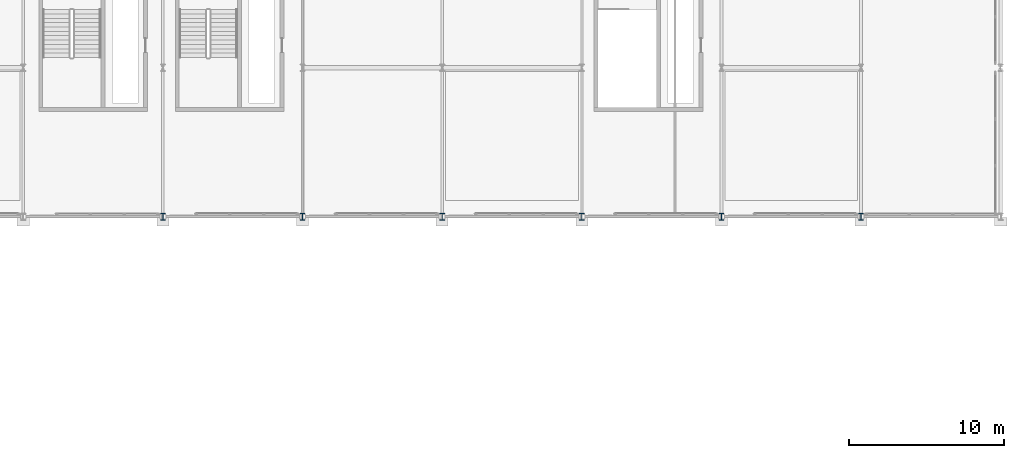
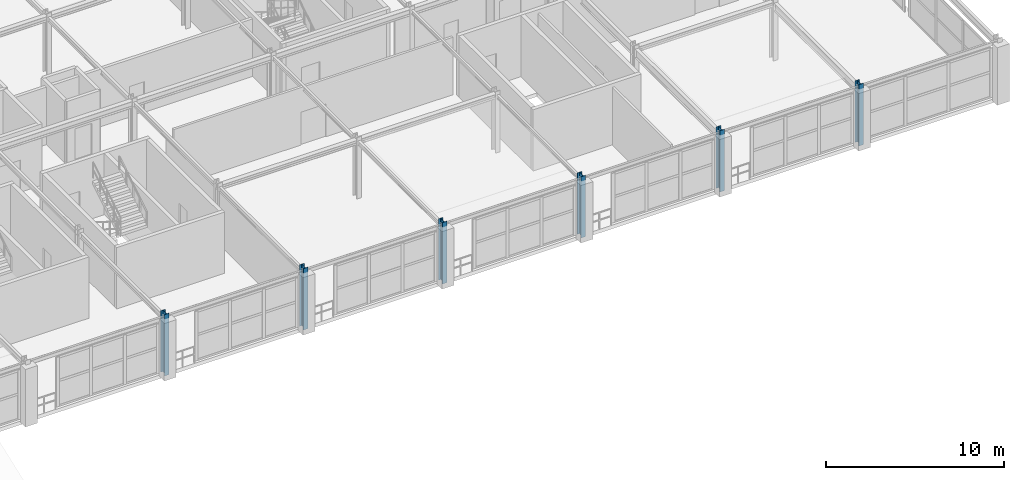
# One storey, part 12 of 81: 6 columns.
"""IFC4 building model written with IfcOpenShell, lengths in metres."""

from ifc_helpers import new_model, si_unit, direction, frame, origin, origin_2d, place, context, subcontext, project, spatial, i_section, extrude, material, material_profile, profile_set, type_object, element, save


model = new_model("IFC4")

# Units and contexts
model_context = context("Model", 3, precision=1e-05, world=origin(), true_north=direction((0.0, 1.0)))
body_context = subcontext(model_context, "Body", "Model", "MODEL_VIEW")
ifc_project = project(units=[si_unit("LENGTHUNIT", "METRE"), si_unit("AREAUNIT", "SQUARE_METRE"), si_unit("VOLUMEUNIT", "CUBIC_METRE"), si_unit("PLANEANGLEUNIT", "RADIAN"), si_unit("MASSUNIT", "GRAM", prefix="KILO")], contexts=[model_context])

# Site, building, storey
site_placement = place(None, origin())
site = spatial("IfcSite", under=ifc_project, at=site_placement, CompositionType="ELEMENT")
building_placement = place(site_placement, origin())
building = spatial("IfcBuilding", under=site, at=building_placement, Name="Myrtia Square Station", CompositionType="ELEMENT")
storey_placement = place(building_placement, frame((0.0, 0.0, 10.800048828125)))
storey = spatial("IfcBuildingStorey", under=building, at=storey_placement, Name="L02", CompositionType="ELEMENT", Elevation=10.800048828125)

# Columns
ifc_material = material(Name="Steel S355", Category="steel")
ifc_material_profile = material_profile(ifc_material, i_section(OverallWidth=0.300048828125, OverallDepth=0.449951171875, WebThickness=0.013916015625, FlangeThickness=0.02587890625, FilletRadius=0.027099609375, at=origin_2d()), Name="HEB 450")
ifc_profile_set = profile_set([ifc_material_profile], Name="Steel S355")
column_type = type_object("IfcColumnType", Name="COL-HEB450", PredefinedType="COLUMN", material=ifc_profile_set)
for number, where, z_axis, x_axis, name in (
    (1, (135.0, 86.39990234375, 0.0), (0.0, 0.0, 1.0), (1.0, 0.0, 0.0), "Column L02-0812"),
    (2, (144.0, 86.39990234375, 0.0), (0.0, 0.0, 1.0), (1.0, 0.0, 0.0), "Column L02-0842"),
    (3, (153.0, 86.39990234375, 0.0), (0.0, 0.0, 1.0), (1.0, 0.0, 0.0), "Column L02-0872"),
    (4, (162.0, 86.39990234375, 0.0), (0.0, 0.0, 1.0), (1.0, 0.0, 0.0), "Column L02-0901"),
    (5, (171.0, 86.39990234375, 0.0), (0.0, 0.0, 1.0), (1.0, 0.0, 0.0), "Column L02-0931"),
    (6, (180.0, 86.39990234375, 0.0), (0.0, 0.0, 1.0), (1.0, 0.0, 0.0), "Column L02-0961"),
):
    element("IfcColumn", number, at=place(storey_placement, frame(where, z_axis=z_axis, x_axis=x_axis)), inside=storey, type_object=column_type, Name=name, PredefinedType="COLUMN", context=body_context, shape_type="SweptSolid", body=[
        extrude(i_section(OverallWidth=0.300048828125, OverallDepth=0.449951171875, WebThickness=0.013916015625, FlangeThickness=0.02587890625, FilletRadius=0.027099609375, at=origin_2d()), origin(), (0.0, 0.0, 1.0), 4.199951171875),
    ])

save(model, "model.ifc")
